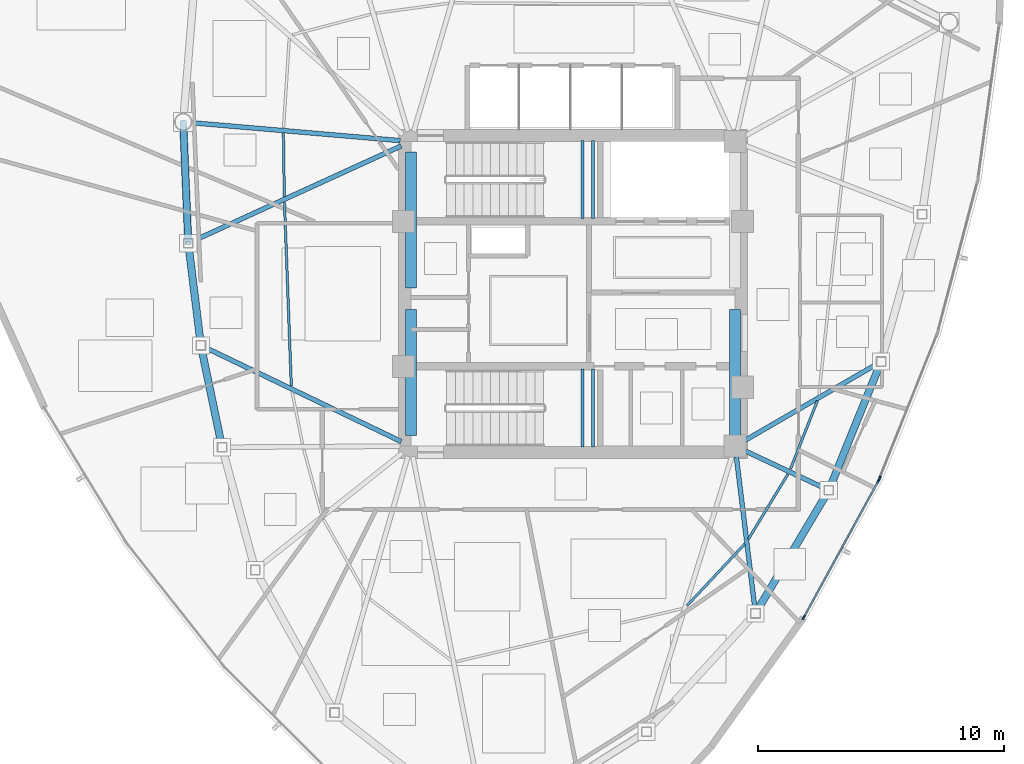
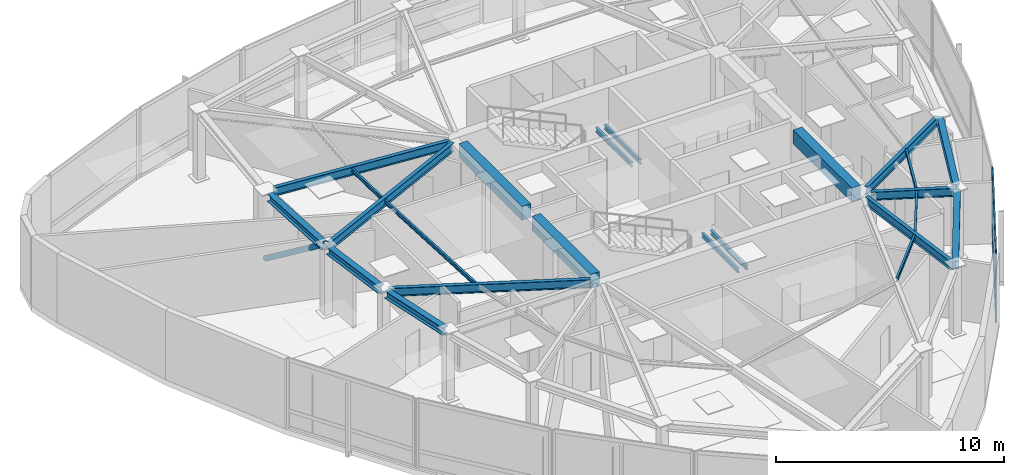
# One storey, part 3 of 12: 23 beams, 7 members, 2 elements without a shape of their own.
"""IFC4 building model written with IfcOpenShell, lengths in metres."""

import ifcopenshell
import ifcopenshell.guid

model = None  # the IFC model being written
_history = None  # IfcOwnerHistory: only IFC2X3 demands one
_inside = {}  # id of a spatial element -> (the spatial element, [elements in it])
_under = {}  # id of a project, library or spatial element -> (it, [spatial elements below it])
_declared = {}  # id of a project -> (the project, [libraries it declares])
_typed = {}  # id of a type object -> (the type object, [elements of that type])
_made_of = {}  # id of a material, layer set ... -> (it, [elements and type objects made of it])


def new_model(schema):
    """Start an empty IFC model of exactly this schema.

    Asked for "IFC4X3", IfcOpenShell would pick the latest addendum, in which some entities
    have other attributes; the version numbers below select the first issue.
    IFC2X3 requires an IfcOwnerHistory on every rooted entity: one is made here for all.
    """
    global model, _history
    if schema == "IFC4X3":
        model = ifcopenshell.file(schema_version=(4, 3, 0, 0))
    else:
        model = ifcopenshell.file(schema=schema)
    _inside.clear()
    _under.clear()
    _declared.clear()
    _typed.clear()
    _made_of.clear()
    _history = None
    if model.schema == "IFC2X3":
        org = make("IfcOrganization", Name="unknown")
        user = make(
            "IfcPersonAndOrganization",
            ThePerson=make("IfcPerson", FamilyName="unknown"),
            TheOrganization=org,
        )
        app = make(
            "IfcApplication",
            ApplicationDeveloper=org,
            Version="unknown",
            ApplicationFullName="unknown",
            ApplicationIdentifier="unknown",
        )
        _history = make(
            "IfcOwnerHistory",
            OwningUser=user,
            OwningApplication=app,
            ChangeAction="ADDED",
            CreationDate=0,
        )
    return model


def make(cls, **values):
    """One entity of the class cls with the attributes given. An attribute that is None is left unset."""
    return model.create_entity(
        cls, **{name: value for name, value in values.items() if value is not None}
    )


def rooted(cls, **values):
    """An entity with a GlobalId (a new one), such as an element, a storey or a relation."""
    return make(cls, GlobalId=ifcopenshell.guid.new(), OwnerHistory=_history, **values)


def si_unit(unit_type, name, prefix=None):
    """IfcSIUnit, for example si_unit("LENGTHUNIT", "METRE", prefix="MILLI")."""
    return make("IfcSIUnit", UnitType=unit_type, Prefix=prefix, Name=name)


def assignment(units):
    """IfcUnitAssignment: the units of a project."""
    return None if units is None else make("IfcUnitAssignment", Units=units)


def point(xyz):
    """IfcCartesianPoint."""
    return None if xyz is None else make("IfcCartesianPoint", Coordinates=xyz)


def direction(xyz):
    """IfcDirection."""
    return None if xyz is None else make("IfcDirection", DirectionRatios=xyz)


def frame(location, z_axis=None, x_axis=None):
    """IfcAxis2Placement3D, a coordinate frame: its origin and axes. An axis left out is left unset."""
    return make(
        "IfcAxis2Placement3D",
        Location=point(location),
        Axis=direction(z_axis),
        RefDirection=direction(x_axis),
    )


def frame_2d(location, x_axis=None):
    """IfcAxis2Placement2D, a coordinate frame in the plane: its origin and x axis."""
    return make(
        "IfcAxis2Placement2D", Location=point(location), RefDirection=direction(x_axis)
    )


def origin():
    """The frame at (0, 0, 0) with its axes left unset."""
    return frame((0.0, 0.0, 0.0))


def origin_2d():
    """The frame at (0, 0) in the plane with its x axis left unset."""
    return frame_2d((0.0, 0.0))


def place(relative_to, where):
    """IfcLocalPlacement: puts the frame where relative to a parent placement (None: the world)."""
    return make(
        "IfcLocalPlacement", PlacementRelTo=relative_to, RelativePlacement=where
    )


def context(
    kind, dimensions, precision=None, world=None, true_north=None, identifier=None
):
    """IfcGeometricRepresentationContext, for example the 3D "Model" context."""
    return make(
        "IfcGeometricRepresentationContext",
        ContextIdentifier=identifier,
        ContextType=kind,
        CoordinateSpaceDimension=dimensions,
        Precision=precision,
        WorldCoordinateSystem=world,
        TrueNorth=true_north,
    )


def subcontext(parent, identifier, kind, view, scale=None):
    """IfcGeometricRepresentationSubContext, for example "Body" below "Model"."""
    return make(
        "IfcGeometricRepresentationSubContext",
        ContextIdentifier=identifier,
        ContextType=kind,
        ParentContext=parent,
        TargetScale=scale,
        TargetView=view,
    )


def project(units=None, contexts=None):
    """IfcProject with its units and contexts."""
    return rooted(
        "IfcProject",
        Name="project",
        RepresentationContexts=contexts,
        UnitsInContext=assignment(units),
    )


def spatial(cls, under=None, at=None, **own):
    """A site, building, storey or space (cls), placed at a placement, below another one or the project."""
    s = rooted(cls, ObjectPlacement=at, **own)
    if under is not None:
        _under.setdefault(under.id(), (under, []))[1].append(s)
    return s


def profile(cls, at=None, kind="AREA", **sizes):
    """A parametric profile (cls). Its sizes go by their IFC names, for example OverallWidth=200.0."""
    return make(cls, ProfileType=kind, Position=at, **sizes)


def rectangle(**sizes):
    """IfcRectangleProfileDef."""
    return profile("IfcRectangleProfileDef", **sizes)


def hollow_rectangle(**sizes):
    """IfcRectangleHollowProfileDef."""
    return profile("IfcRectangleHollowProfileDef", **sizes)


def hollow_circle(**sizes):
    """IfcCircleHollowProfileDef."""
    return profile("IfcCircleHollowProfileDef", **sizes)


def i_section(**sizes):
    """IfcIShapeProfileDef."""
    return profile("IfcIShapeProfileDef", **sizes)


def extrude(swept, where, along, depth):
    """IfcExtrudedAreaSolid: the profile swept, set in the frame where, extruded along a direction by depth."""
    return make(
        "IfcExtrudedAreaSolid",
        SweptArea=swept,
        Position=where,
        ExtrudedDirection=direction(along),
        Depth=depth,
    )


def shape(context_of_items, identifier, shape_type, items):
    """IfcShapeRepresentation: the items that make up one representation, for example the "Body"."""
    return make(
        "IfcShapeRepresentation",
        ContextOfItems=context_of_items,
        RepresentationIdentifier=identifier,
        RepresentationType=shape_type,
        Items=items,
    )


def source(mapping_origin, context_of_items, identifier, shape_type, items):
    """IfcRepresentationMap: a shape defined once, which mapped items show again and again."""
    return make(
        "IfcRepresentationMap",
        MappingOrigin=mapping_origin,
        MappedRepresentation=shape(context_of_items, identifier, shape_type, items),
    )


def transform(
    local_origin,
    x_axis=None,
    y_axis=None,
    z_axis=None,
    scale=None,
    scale2=None,
    scale3=None,
    uniform=True,
):
    """IfcCartesianTransformationOperator3D, or its non-uniform kind. x_axis, y_axis, z_axis: its Axis1, 2, 3."""
    if uniform:
        return make(
            "IfcCartesianTransformationOperator3D",
            Axis1=direction(x_axis),
            Axis2=direction(y_axis),
            LocalOrigin=point(local_origin),
            Scale=scale,
            Axis3=direction(z_axis),
        )
    return make(
        "IfcCartesianTransformationOperator3DnonUniform",
        Axis1=direction(x_axis),
        Axis2=direction(y_axis),
        LocalOrigin=point(local_origin),
        Scale=scale,
        Axis3=direction(z_axis),
        Scale2=scale2,
        Scale3=scale3,
    )


def mapped(mapping_source, mapping_target):
    """IfcMappedItem: shows the shape of a source again, moved by a transform."""
    return make(
        "IfcMappedItem", MappingSource=mapping_source, MappingTarget=mapping_target
    )


def material(Name=None, Category=None):
    """IfcMaterial."""
    return make("IfcMaterial", Name=Name, Category=Category)


def layer(
    of_material, thickness, ventilated=None, Name=None, Category=None, Priority=None
):
    """IfcMaterialLayer: one layer of a wall or slab, of a material (None: an air gap)."""
    return make(
        "IfcMaterialLayer",
        Material=of_material,
        LayerThickness=thickness,
        IsVentilated=ventilated,
        Name=Name,
        Category=Category,
        Priority=Priority,
    )


def layer_set(layers, Name=None):
    """IfcMaterialLayerSet."""
    return make("IfcMaterialLayerSet", MaterialLayers=layers, LayerSetName=Name)


def material_profile(
    of_material, cross_section, Name=None, Category=None, Priority=None
):
    """IfcMaterialProfile: a cross section and its material."""
    return make(
        "IfcMaterialProfile",
        Name=Name,
        Material=of_material,
        Profile=cross_section,
        Priority=Priority,
        Category=Category,
    )


def profile_set(profiles, Name=None, composite=None):
    """IfcMaterialProfileSet."""
    return make(
        "IfcMaterialProfileSet",
        Name=Name,
        MaterialProfiles=profiles,
        CompositeProfile=composite,
    )


def made_of(thing, what):
    """Note that an element or type object is made of a material, layer set ...; save() writes the relation."""
    if what is not None:
        _made_of.setdefault(what.id(), (what, []))[1].append(thing)
    return thing


def type_object(cls, material=None, **own):
    """A type object (cls), such as IfcWallType, which elements share."""
    return made_of(rooted(cls, **own), material)


def type_shapes(of_type, sources):
    """Give a type object the sources (RepresentationMaps) that its elements show as mapped items."""
    of_type.RepresentationMaps = sources


def element(
    cls,
    number,
    at=None,
    inside=None,
    cuts=None,
    type_object=None,
    material=None,
    context=None,
    identifier="Body",
    shape_type=None,
    held_by="IfcProductDefinitionShape",
    body=None,
    shapes=None,
    **own,
):
    """One element of the class cls, such as IfcWall. Its Tag is "e" and its number.

    at: its placement. inside: the storey or other place that contains it. cuts: it is an
    opening in that element (IfcRelVoidsElement). A single representation is given by context,
    identifier, shape_type and body (its items); several are given by shapes. held_by: the class
    of the entity that holds the representations. save() writes the other relations.
    """
    e = rooted(cls, Tag="e%d" % number, ObjectPlacement=at, **own)
    if body is not None:
        shapes = [shape(context, identifier, shape_type, body)]
    if shapes is not None:
        e.Representation = make(held_by, Representations=shapes)
    if inside is not None:
        _inside.setdefault(inside.id(), (inside, []))[1].append(e)
    if cuts is not None:
        rooted(
            "IfcRelVoidsElement", RelatingBuildingElement=cuts, RelatedOpeningElement=e
        )
    if type_object is not None:
        _typed.setdefault(type_object.id(), (type_object, []))[1].append(e)
    return made_of(e, material)


def aggregate(whole, parts):
    """IfcRelAggregates: a whole, such as a stair, and the parts it consists of."""
    return rooted("IfcRelAggregates", RelatingObject=whole, RelatedObjects=parts)


def save(model, path):
    """Write the relations noted so far, then the file.

    IfcRelAggregates (storeys below a building ...), IfcRelContainedInSpatialStructure (elements
    in a storey), IfcRelDefinesByType, IfcRelAssociatesMaterial and IfcRelDeclares: one each for
    every whole, place, type object, material and project.
    """
    for whole, parts in _under.values():
        aggregate(whole, parts)
    for where, things in _inside.values():
        rooted(
            "IfcRelContainedInSpatialStructure",
            RelatedElements=things,
            RelatingStructure=where,
        )
    for kind, things in _typed.values():
        rooted("IfcRelDefinesByType", RelatedObjects=things, RelatingType=kind)
    for what, things in _made_of.values():
        rooted("IfcRelAssociatesMaterial", RelatedObjects=things, RelatingMaterial=what)
    for by, libraries in _declared.values():
        rooted("IfcRelDeclares", RelatingContext=by, RelatedDefinitions=libraries)
    model.write(path)


model = new_model("IFC4")

# Units and contexts
model_context = context("Model", 3, precision=1e-05, world=origin(), true_north=direction((0.0, 1.0)))
body_context = subcontext(model_context, "Body", "Model", "MODEL_VIEW")
ifc_project = project(units=[si_unit("LENGTHUNIT", "METRE"), si_unit("AREAUNIT", "SQUARE_METRE"), si_unit("VOLUMEUNIT", "CUBIC_METRE"), si_unit("PLANEANGLEUNIT", "RADIAN"), si_unit("MASSUNIT", "GRAM", prefix="KILO")], contexts=[model_context])

# Site, building, storey
site_placement = place(None, origin())
site = spatial("IfcSite", under=ifc_project, at=site_placement, CompositionType="ELEMENT")
building_placement = place(site_placement, origin())
building = spatial("IfcBuilding", under=site, at=building_placement, Name="Tavelor Broadcast Tower", CompositionType="ELEMENT")
storey_placement = place(building_placement, frame((0.0, 0.0, 317.5)))
storey = spatial("IfcBuildingStorey", under=building, at=storey_placement, Name="L76", CompositionType="ELEMENT", Elevation=317.5)

# Beams
ifc_material_1 = material(Name="Concrete C40/50", Category="concrete")
ifc_material_profile_1 = material_profile(ifc_material_1, rectangle(XDim=0.449951171875, YDim=0.75, at=origin_2d()), Name="RC 450x750")
ifc_profile_set_1 = profile_set([ifc_material_profile_1], Name="Concrete C40/50")
beam_type_1 = type_object("IfcBeamType", Name="Basement Core Trim Beam 450x750", PredefinedType="BEAM", material=ifc_profile_set_1)
beam_1_placement = place(storey_placement, frame((43.39990234375, 45.23193359375, 3.324951171875), z_axis=(0.0, 1.0, 0.0), x_axis=(-1.0, 0.0, 0.0)))
element("IfcBeam", 1, at=beam_1_placement, inside=storey, type_object=beam_type_1, Name="L76 Core West-N Tie Girder", PredefinedType="BEAM", context=body_context, shape_type="SweptSolid", body=[
    extrude(rectangle(XDim=0.449951171875, YDim=0.75, at=origin_2d()), origin(), (0.0, 0.0, 1.0), 5.5361328125),
])
for number, where, z_axis, x_axis, name in (
    (2, (43.39990234375, 39.23193359375, 3.324951171875), (0.0, 1.0, 0.0), (-1.0, 0.0, 0.0), "L76 Core West-S Tie Girder"),
    (3, (56.60009765625, 39.23193359375, 3.324951171875), (0.0, 1.0, 0.0), (-1.0, 0.0, 0.0), "L76 Core East-S Tie Girder"),
):
    element("IfcBeam", number, at=place(storey_placement, frame(where, z_axis=z_axis, x_axis=x_axis)), inside=storey, type_object=beam_type_1, Name=name, PredefinedType="BEAM", context=body_context, shape_type="SweptSolid", body=[
        extrude(rectangle(XDim=0.449951171875, YDim=0.75, at=origin_2d()), origin(), (0.0, 0.0, 1.0), 5.135986328125),
    ])
ifc_material_2 = material(Name="Steel S355", Category="steel")
ifc_material_profile_2 = material_profile(ifc_material_2, i_section(OverallWidth=0.10009765625, OverallDepth=0.199951171875, WebThickness=0.005615234375, FlangeThickness=0.008544921875, at=origin_2d()), Name="IPE 200")
ifc_profile_set_2 = profile_set([ifc_material_profile_2], Name="Steel S355")
beam_type_2 = type_object("IfcBeamType", Name="Composite Floor Joist T8 IPE 200", PredefinedType="JOIST", material=ifc_profile_set_2)
beam_2_placement = place(storey_placement, frame((38.21435546875, 51.521728515625, 3.60009765625), z_axis=(0.014168036859, -0.999899628329, 0.0), x_axis=(0.999899628329, 0.014168036859, 0.0)))
element("IfcBeam", 4, at=beam_2_placement, inside=storey, type_object=beam_type_2, Name="L76 Secondary Composite Floor Joist 01", PredefinedType="JOIST", context=body_context, shape_type="SweptSolid", body=[
    extrude(i_section(OverallWidth=0.10009765625, OverallDepth=0.199951171875, WebThickness=0.005615234375, FlangeThickness=0.008544921875, at=origin_2d()), origin(), (0.0, 0.0, 1.0), 2.55029296875),
])
beam_3_placement = place(storey_placement, frame((38.2568359375, 48.72412109375, 3.60009765625), z_axis=(0.037276284898, -0.999304997778, 0.0), x_axis=(0.999304997778, 0.037276284898, 0.0)))
element("IfcBeam", 5, at=beam_3_placement, inside=storey, type_object=beam_type_2, Name="L76 Secondary Composite Floor Joist 02", PredefinedType="JOIST", context=body_context, shape_type="SweptSolid", body=[
    extrude(i_section(OverallWidth=0.10009765625, OverallDepth=0.199951171875, WebThickness=0.005615234375, FlangeThickness=0.008544921875, at=origin_2d()), origin(), (0.0, 0.0, 1.0), 7.472900390625),
])
beam_4_placement = place(storey_placement, frame((54.64013671875, 32.302490234375, 3.60009765625), z_axis=(0.683232798119, 0.730200618717, 0.0), x_axis=(-0.730200618717, 0.683232798119, 0.0)))
element("IfcBeam", 6, at=beam_4_placement, inside=storey, type_object=beam_type_2, Name="L76 Secondary Composite Floor Joist 08", PredefinedType="JOIST", context=body_context, shape_type="SweptSolid", body=[
    extrude(i_section(OverallWidth=0.10009765625, OverallDepth=0.199951171875, WebThickness=0.005615234375, FlangeThickness=0.008544921875, at=origin_2d()), origin(), (0.0, 0.0, 1.0), 3.441162109375),
])
beam_5_placement = place(storey_placement, frame((57.139892578125, 35.011474609375, 3.60009765625), z_axis=(0.519987009808, 0.854174168206, 0.0), x_axis=(-0.854174168206, 0.519987009808, 0.0)))
element("IfcBeam", 7, at=beam_5_placement, inside=storey, type_object=beam_type_2, Name="L76 Secondary Composite Floor Joist 09", PredefinedType="JOIST", context=body_context, shape_type="SweptSolid", body=[
    extrude(i_section(OverallWidth=0.10009765625, OverallDepth=0.199951171875, WebThickness=0.005615234375, FlangeThickness=0.008544921875, at=origin_2d()), origin(), (0.0, 0.0, 1.0), 3.09326171875),
])
beam_6_placement = place(storey_placement, frame((58.85791015625, 37.87451171875, 3.60009765625), z_axis=(0.367159090803, 0.930158159692, 0.0), x_axis=(-0.930158159692, 0.367159090803, 0.0)))
element("IfcBeam", 8, at=beam_6_placement, inside=storey, type_object=beam_type_2, Name="L76 Secondary Composite Floor Joist 10", PredefinedType="JOIST", context=body_context, shape_type="SweptSolid", body=[
    extrude(i_section(OverallWidth=0.10009765625, OverallDepth=0.199951171875, WebThickness=0.005615234375, FlangeThickness=0.008544921875, at=origin_2d()), origin(), (0.0, 0.0, 1.0), 2.98681640625),
])
ifc_material_profile_3 = material_profile(ifc_material_2, i_section(OverallWidth=0.300048828125, OverallDepth=0.39990234375, WebThickness=0.013427734375, FlangeThickness=0.02392578125, at=origin_2d()), Name="HEB 400")
ifc_profile_set_3 = profile_set([ifc_material_profile_3], Name="Steel S355")
beam_type_3 = type_object("IfcBeamType", Name="Perimeter Spandrel Beam T8 HEB 400", PredefinedType="SPANDREL", material=ifc_profile_set_3)
beam_7_placement = place(storey_placement, frame((34.149169921875, 51.65478515625, 3.5), z_axis=(0.041837988246, -0.999124408039, 0.0), x_axis=(0.999124408039, 0.041837988246, 0.0)))
element("IfcBeam", 9, at=beam_7_placement, inside=storey, type_object=beam_type_3, Name="L76 Framed-Tube Ring Spandrel 01", PredefinedType="SPANDREL", context=body_context, shape_type="SweptSolid", body=[
    extrude(i_section(OverallWidth=0.300048828125, OverallDepth=0.39990234375, WebThickness=0.013427734375, FlangeThickness=0.02392578125, at=origin_2d()), origin(), (0.0, 0.0, 1.0), 4.40576171875),
])
beam_8_placement = place(storey_placement, frame((34.364990234375, 46.87060546875, 3.5), z_axis=(0.122298070905, -0.992493416529, 0.0), x_axis=(0.992493416529, 0.122298070905, 0.0)))
element("IfcBeam", 10, at=beam_8_placement, inside=storey, type_object=beam_type_3, Name="L76 Framed-Tube Ring Spandrel 02", PredefinedType="SPANDREL", context=body_context, shape_type="SweptSolid", body=[
    extrude(i_section(OverallWidth=0.300048828125, OverallDepth=0.39990234375, WebThickness=0.013427734375, FlangeThickness=0.02392578125, at=origin_2d()), origin(), (0.0, 0.0, 1.0), 3.806884765625),
])
beam_9_placement = place(storey_placement, frame((34.893310546875, 42.7138671875, 3.5), z_axis=(0.203708583251, -0.979031569006, 0.0), x_axis=(0.979031569006, 0.203708583251, 0.0)))
element("IfcBeam", 11, at=beam_9_placement, inside=storey, type_object=beam_type_3, Name="L76 Framed-Tube Ring Spandrel 03", PredefinedType="SPANDREL", context=body_context, shape_type="SweptSolid", body=[
    extrude(i_section(OverallWidth=0.300048828125, OverallDepth=0.39990234375, WebThickness=0.013427734375, FlangeThickness=0.02392578125, at=origin_2d()), origin(), (0.0, 0.0, 1.0), 3.849609375),
])
beam_10_placement = place(storey_placement, frame((57.52978515625, 32.156982421875, 3.5), z_axis=(0.511792514175, 0.859109086458, 0.0), x_axis=(-0.859109086458, 0.511792514175, 0.0)))
element("IfcBeam", 12, at=beam_10_placement, inside=storey, type_object=beam_type_3, Name="L76 Framed-Tube Ring Spandrel 09", PredefinedType="SPANDREL", context=body_context, shape_type="SweptSolid", body=[
    extrude(i_section(OverallWidth=0.300048828125, OverallDepth=0.39990234375, WebThickness=0.013427734375, FlangeThickness=0.02392578125, at=origin_2d()), origin(), (0.0, 0.0, 1.0), 5.450439453125),
])
beam_11_placement = place(storey_placement, frame((60.48974609375, 37.182373046875, 3.5), z_axis=(0.376276339412, 0.926507483186, 0.0), x_axis=(-0.926507483186, 0.376276339412, 0.0)))
element("IfcBeam", 13, at=beam_11_placement, inside=storey, type_object=beam_type_3, Name="L76 Framed-Tube Ring Spandrel 10", PredefinedType="SPANDREL", context=body_context, shape_type="SweptSolid", body=[
    extrude(i_section(OverallWidth=0.300048828125, OverallDepth=0.39990234375, WebThickness=0.013427734375, FlangeThickness=0.02392578125, at=origin_2d()), origin(), (0.0, 0.0, 1.0), 5.267333984375),
])

# Member
ifc_material_profile_4 = material_profile(ifc_material_2, hollow_circle(Radius=0.136474609375, WallThickness=0.012451171875, at=origin_2d()), Name="CHS 273x12.5")
ifc_profile_set_4 = profile_set([ifc_material_profile_4], Name="Steel S355")
member_type_1 = type_object("IfcMemberType", Name="Perimeter Tube Brace T8 CHS 273x12.5", PredefinedType="BRACE", material=ifc_profile_set_4)
member_1_placement = place(storey_placement, frame((34.134765625, 51.995849609375, 0.0), z_axis=(0.033508994779, -0.799626685339, 0.599561766095), x_axis=(0.999123106787, 0.041869051625, 0.0)))
element("IfcMember", 14, at=member_1_placement, inside=storey, type_object=member_type_1, Name="L76 Corner Tube Diagonal Brace 1", PredefinedType="BRACE", context=body_context, shape_type="SweptSolid", body=[
    extrude(hollow_circle(Radius=0.136474609375, WallThickness=0.012451171875, at=origin_2d()), origin(), (0.0, 0.0, 1.0), 6.171142578125),
])

# Beams
ifc_material_profile_5 = material_profile(ifc_material_2, i_section(OverallWidth=0.18994140625, OverallDepth=0.449951171875, WebThickness=0.009521484375, FlangeThickness=0.0146484375, at=origin_2d()), Name="IPE 450")
ifc_profile_set_5 = profile_set([ifc_material_profile_5], Name="Steel S355")
beam_type_4 = type_object("IfcBeamType", Name="Radial Floor Girder T8 IPE 450", PredefinedType="BEAM", material=ifc_profile_set_5)
beam_12_placement = place(storey_placement, frame((42.969482421875, 51.237060546875, 3.47509765625), z_axis=(-0.99633041069, 0.085590377581, 0.0), x_axis=(-0.085590377581, -0.99633041069, 0.0)))
element("IfcBeam", 15, at=beam_12_placement, inside=storey, type_object=beam_type_4, Name="L76 Radial Primary Floor Girder 01", PredefinedType="BEAM", context=body_context, shape_type="SweptSolid", body=[
    extrude(i_section(OverallWidth=0.18994140625, OverallDepth=0.449951171875, WebThickness=0.009521484375, FlangeThickness=0.0146484375, at=origin_2d()), origin(), (0.0, 0.0, 1.0), 8.52587890625),
])
beam_13_placement = place(storey_placement, frame((43.007080078125, 51.0205078125, 3.47509765625), z_axis=(-0.909563172595, -0.4155656808, 0.0), x_axis=(0.4155656808, -0.909563172595, 0.0)))
element("IfcBeam", 16, at=beam_13_placement, inside=storey, type_object=beam_type_4, Name="L76 Radial Primary Floor Girder 02", PredefinedType="BEAM", context=body_context, shape_type="SweptSolid", body=[
    extrude(i_section(OverallWidth=0.18994140625, OverallDepth=0.449951171875, WebThickness=0.009521484375, FlangeThickness=0.0146484375, at=origin_2d()), origin(), (0.0, 0.0, 1.0), 9.335205078125),
])
beam_14_placement = place(storey_placement, frame((43.010498046875, 38.98681640625, 3.47509765625), z_axis=(-0.901533812655, 0.432708660233, 0.0), x_axis=(-0.432708660233, -0.901533812655, 0.0)))
element("IfcBeam", 17, at=beam_14_placement, inside=storey, type_object=beam_type_4, Name="L76 Radial Primary Floor Girder 03", PredefinedType="BEAM", context=body_context, shape_type="SweptSolid", body=[
    extrude(i_section(OverallWidth=0.18994140625, OverallDepth=0.449951171875, WebThickness=0.009521484375, FlangeThickness=0.0146484375, at=origin_2d()), origin(), (0.0, 0.0, 1.0), 8.85546875),
])
beam_15_placement = place(storey_placement, frame((56.65234375, 38.37109375, 3.47509765625), z_axis=(0.121238833005, -0.992623365316, 0.0), x_axis=(0.992623365316, 0.121238833005, 0.0)))
element("IfcBeam", 18, at=beam_15_placement, inside=storey, type_object=beam_type_4, Name="L76 Radial Primary Floor Girder 09", PredefinedType="BEAM", context=body_context, shape_type="SweptSolid", body=[
    extrude(i_section(OverallWidth=0.18994140625, OverallDepth=0.449951171875, WebThickness=0.009521484375, FlangeThickness=0.0146484375, at=origin_2d()), origin(), (0.0, 0.0, 1.0), 6.234375),
])
beam_16_placement = place(storey_placement, frame((56.990966796875, 38.6162109375, 3.47509765625), z_axis=(0.904900260626, -0.425623681578, 0.0), x_axis=(0.425623681578, 0.904900260626, 0.0)))
element("IfcBeam", 19, at=beam_16_placement, inside=storey, type_object=beam_type_4, Name="L76 Radial Primary Floor Girder 10", PredefinedType="BEAM", context=body_context, shape_type="SweptSolid", body=[
    extrude(i_section(OverallWidth=0.18994140625, OverallDepth=0.449951171875, WebThickness=0.009521484375, FlangeThickness=0.0146484375, at=origin_2d()), origin(), (0.0, 0.0, 1.0), 3.5947265625),
])
beam_17_placement = place(storey_placement, frame((56.973876953125, 39.016357421875, 3.47509765625), z_axis=(0.865467330789, 0.500965367402, 0.0), x_axis=(-0.500965367402, 0.865467330789, 0.0)))
element("IfcBeam", 20, at=beam_17_placement, inside=storey, type_object=beam_type_4, Name="L76 Radial Primary Floor Girder 11", PredefinedType="BEAM", context=body_context, shape_type="SweptSolid", body=[
    extrude(i_section(OverallWidth=0.18994140625, OverallDepth=0.449951171875, WebThickness=0.009521484375, FlangeThickness=0.0146484375, at=origin_2d()), origin(), (0.0, 0.0, 1.0), 6.243896484375),
])
ifc_material_profile_6 = material_profile(ifc_material_2, i_section(OverallWidth=0.1201171875, OverallDepth=0.239990234375, WebThickness=0.006103515625, FlangeThickness=0.009765625, at=origin_2d()), Name="IPE 240")
ifc_profile_set_6 = profile_set([ifc_material_profile_6], Name="Steel S355")
beam_type_5 = type_object("IfcBeamType", Name="Stairwell Landing Support Trimmer Beam IPE240", PredefinedType="BEAM", material=ifc_profile_set_6)
for number, where, z_axis, x_axis, name in (
    (21, (50.385009765625, 48.06005859375, 1.68505859375), (0.0, 1.0, 0.0), (-1.0, 0.0, 0.0), "L76 Stair Landing Support Beam 193"),
    (22, (50.824951171875, 48.06005859375, 1.68505859375), (0.0, 1.0, 0.0), (-1.0, 0.0, 0.0), "L76 Stair Landing Support Beam 194"),
    (23, (50.385009765625, 38.760009765625, 1.68505859375), (0.0, 1.0, 0.0), (-1.0, 0.0, 0.0), "L76 Stair Landing Support Beam 407"),
    (24, (50.824951171875, 38.760009765625, 1.68505859375), (0.0, 1.0, 0.0), (-1.0, 0.0, 0.0), "L76 Stair Landing Support Beam 408"),
):
    element("IfcBeam", number, at=place(storey_placement, frame(where, z_axis=z_axis, x_axis=x_axis)), inside=storey, type_object=beam_type_5, Name=name, PredefinedType="BEAM", context=body_context, shape_type="SweptSolid", body=[
        extrude(i_section(OverallWidth=0.1201171875, OverallDepth=0.239990234375, WebThickness=0.006103515625, FlangeThickness=0.009765625, at=origin_2d()), origin(), (0.0, 0.0, 1.0), 3.179931640625),
    ])

# Curtain wall, members
ifc_material_3 = material(Name="Architectural Anodized Aluminium", Category="aluminium")
ifc_layer = layer(ifc_material_3, 0.199951171875)
ifc_layer_set = layer_set([ifc_layer], Name="Architectural Anodized Aluminium")
curtain_wall_type = type_object("IfcCurtainWallType", Name="Tower High-Zone Triple-Glazed Curtain Wall CW04", PredefinedType="NOTDEFINED", material=ifc_layer_set)
curtain_wall_1_placement = place(storey_placement, origin())
curtain_wall_1 = element("IfcCurtainWall", 25, at=curtain_wall_1_placement, inside=storey, type_object=curtain_wall_type, Name="L76 Curtain Wall CW04 Run 845", PredefinedType="NOTDEFINED")
ifc_material_profile_7 = material_profile(ifc_material_3, hollow_rectangle(XDim=0.070068359375, YDim=0.199951171875, WallThickness=0.02197265625, at=origin_2d()), Name="RHS 70x200x22")
ifc_profile_set_7 = profile_set([ifc_material_profile_7], Name="Architectural Anodized Aluminium")
member_type_2 = type_object("IfcMemberType", Name="CW04 Extruded Aluminium Mullion 70x200", PredefinedType="MULLION", material=ifc_profile_set_7)
shared_shape_1 = source(origin(), body_context, "Body", "SweptSolid", [
    extrude(hollow_rectangle(XDim=0.070068359375, YDim=0.199951171875, WallThickness=0.02197265625, at=origin_2d()), origin(), (0.0, 0.0, 1.0), 3.699951171875),
])
type_shapes(member_type_2, [shared_shape_1])
member_2_placement = place(storey_placement, frame((59.396484375, 31.830322265625, 0.0), z_axis=(0.0, 0.0, 1.0), x_axis=(-0.877358218606, 0.47983596806, 0.0)))
member_2 = element("IfcMember", 26, at=member_2_placement, type_object=member_type_2, Name="CW04 mullion 1", PredefinedType="MULLION", context=body_context, shape_type="MappedRepresentation", body=[
    mapped(shared_shape_1, transform((0.0, 0.0, 0.0), scale=1.0)),
])
member_3_placement = place(storey_placement, frame((62.44091796875, 37.396728515625, 0.0), z_axis=(0.0, 0.0, 1.0), x_axis=(-0.877358218606, 0.47983596806, 0.0)))
member_3 = element("IfcMember", 27, at=member_3_placement, type_object=member_type_2, Name="CW04 mullion 2", PredefinedType="MULLION", context=body_context, shape_type="MappedRepresentation", body=[
    mapped(shared_shape_1, transform((0.0, 0.0, 0.0), scale=1.0)),
])

# Curtain wall, member
curtain_wall_2_placement = place(storey_placement, origin())
curtain_wall_2 = element("IfcCurtainWall", 28, at=curtain_wall_2_placement, inside=storey, type_object=curtain_wall_type, Name="L76 Curtain Wall CW04 Run 846", PredefinedType="NOTDEFINED")
member_4_placement = place(storey_placement, frame((62.483154296875, 37.487060546875, 0.0), z_axis=(0.0, 0.0, 1.0), x_axis=(-0.928972679603, 0.370148295351, 0.0)))
member_4 = element("IfcMember", 29, at=member_4_placement, type_object=member_type_2, Name="CW04 mullion 1", PredefinedType="MULLION", context=body_context, shape_type="MappedRepresentation", body=[
    mapped(shared_shape_1, transform((0.0, 0.0, 0.0), scale=1.0)),
])
aggregate(curtain_wall_2, [member_4])

# Member
ifc_material_profile_8 = material_profile(ifc_material_3, hollow_rectangle(XDim=0.070068359375, YDim=0.199951171875, WallThickness=0.02197265625, at=origin_2d()), Name="RHS 70x200x22")
ifc_profile_set_8 = profile_set([ifc_material_profile_8], Name="Architectural Anodized Aluminium")
member_type_3 = type_object("IfcMemberType", Name="CW04 Extruded Aluminium Transom 70x200", PredefinedType="USERDEFINED", material=ifc_profile_set_8)
shared_shape_2 = source(origin(), body_context, "Body", "SweptSolid", [
    extrude(hollow_rectangle(XDim=0.070068359375, YDim=0.199951171875, WallThickness=0.02197265625, at=origin_2d()), origin(), (0.0, 0.0, 1.0), 6.2744140625),
])
type_shapes(member_type_3, [shared_shape_2])
member_5_placement = place(storey_placement, frame((59.413330078125, 31.861083984375, 0.034912109375), z_axis=(0.479844166181, 0.877353734922, 0.0), x_axis=(-0.877353734922, 0.479844166181, 0.0)))
member_5 = element("IfcMember", 30, at=member_5_placement, type_object=member_type_3, Name="CW04 transom 1.1", ObjectType="TRANSOM", PredefinedType="USERDEFINED", context=body_context, shape_type="MappedRepresentation", body=[
    mapped(shared_shape_2, transform((0.0, 0.0, 0.0), scale=1.0)),
])

member_6_placement = place(storey_placement, frame((59.413330078125, 31.861083984375, 0.949951171875), z_axis=(0.479844166181, 0.877353734922, 0.0), x_axis=(-0.877353734922, 0.479844166181, 0.0)))
member_6 = element("IfcMember", 31, at=member_6_placement, type_object=member_type_3, Name="CW04 transom 1.2", ObjectType="TRANSOM", PredefinedType="USERDEFINED", context=body_context, shape_type="MappedRepresentation", body=[
    mapped(shared_shape_2, transform((0.0, 0.0, 0.0), scale=1.0)),
])

member_7_placement = place(storey_placement, frame((59.413330078125, 31.861083984375, 3.6650390625), z_axis=(0.479844166181, 0.877353734922, 0.0), x_axis=(-0.877353734922, 0.479844166181, 0.0)))
member_7 = element("IfcMember", 32, at=member_7_placement, type_object=member_type_3, Name="CW04 transom 1.3", ObjectType="TRANSOM", PredefinedType="USERDEFINED", context=body_context, shape_type="MappedRepresentation", body=[
    mapped(shared_shape_2, transform((0.0, 0.0, 0.0), scale=1.0)),
])

aggregate(curtain_wall_1, [member_2, member_3, member_5, member_6, member_7])

save(model, "model.ifc")
